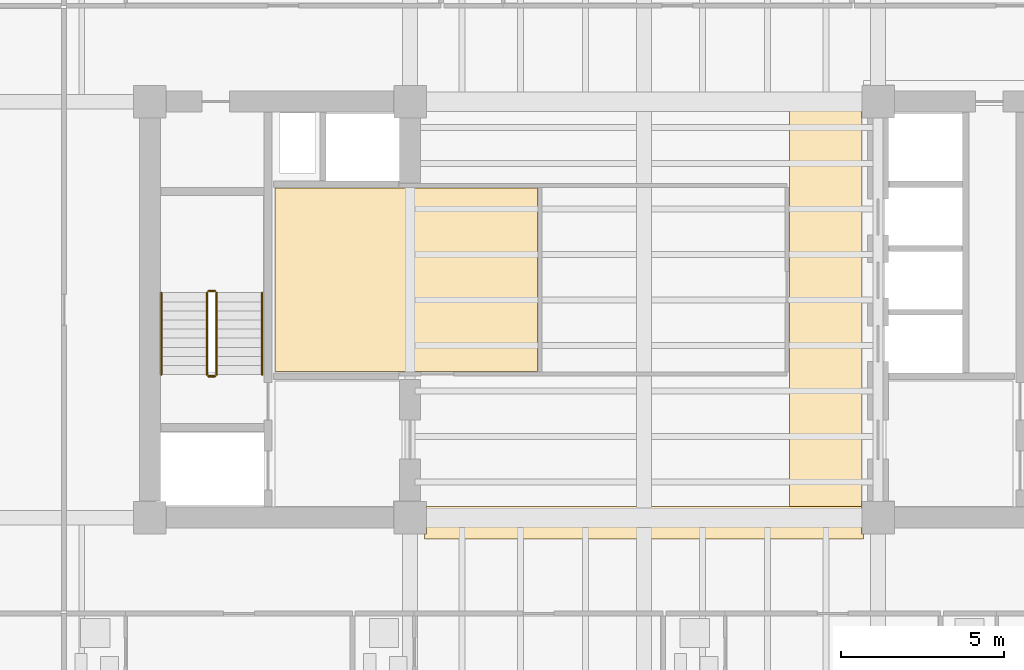
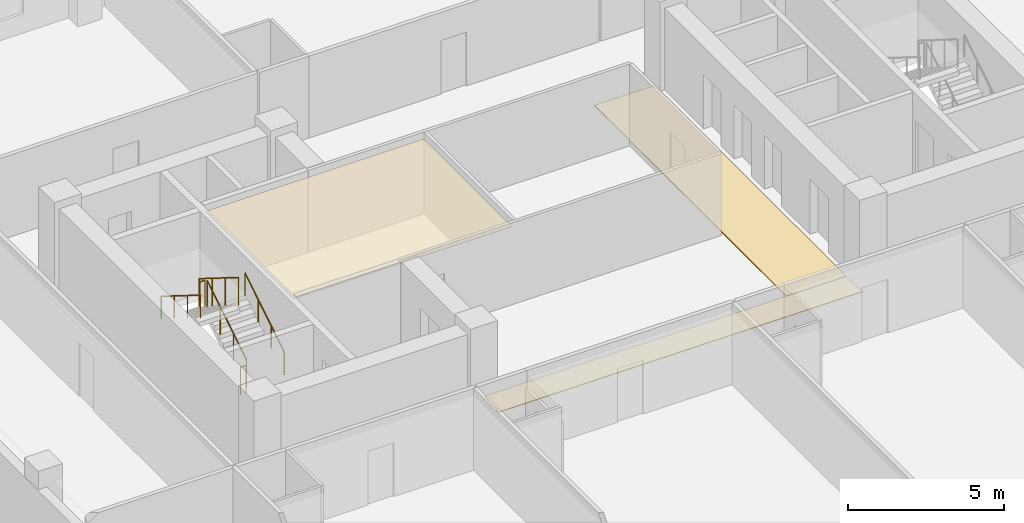
# One storey, part 7 of 10: 6 railings, 3 coverings.
"""IFC4 building model written with IfcOpenShell, lengths in metres."""

from ifc_helpers import new_model, si_unit, direction, frame, origin, origin_2d, place, context, subcontext, project, spatial, polyline, circle, outline, extrude, material, layer, layer_set, type_object, element, save


model = new_model("IFC4")

# Units and contexts
model_context = context("Model", 3, precision=1e-05, world=origin(), true_north=direction((0.0, 1.0)))
body_context = subcontext(model_context, "Body", "Model", "MODEL_VIEW")
ifc_project = project(units=[si_unit("LENGTHUNIT", "METRE"), si_unit("AREAUNIT", "SQUARE_METRE"), si_unit("VOLUMEUNIT", "CUBIC_METRE"), si_unit("PLANEANGLEUNIT", "RADIAN"), si_unit("MASSUNIT", "GRAM", prefix="KILO")], contexts=[model_context])

# Site, building, storey
site_placement = place(None, origin())
site = spatial("IfcSite", under=ifc_project, at=site_placement, CompositionType="ELEMENT")
building_placement = place(site_placement, origin())
building = spatial("IfcBuilding", under=site, at=building_placement, Name="Kranthara Brick Stack", CompositionType="ELEMENT")
storey_placement = place(building_placement, frame((0.0, 0.0, 123.800048828125)))
storey = spatial("IfcBuildingStorey", under=building, at=storey_placement, Name="L30", CompositionType="ELEMENT", Elevation=123.800048828125)

# Coverings
ifc_material_1 = material(Name="Perforated mineral-fibre acoustic ceiling tile", Category="other")
ifc_layer_1 = layer(ifc_material_1, 0.02490234375)
ifc_layer_set_1 = layer_set([ifc_layer_1], Name="Perforated mineral-fibre acoustic ceiling tile")
covering_type_1 = type_object("IfcCoveringType", Name="COV-CEIL-ACOUSTIC", PredefinedType="CEILING", material=ifc_layer_set_1)
covering_1_placement = place(storey_placement, frame((0.0, 0.0, 2.929931640625)))
element("IfcCovering", 1, at=covering_1_placement, inside=storey, type_object=covering_type_1, Name="L30 L30 Hotel Club Reading Lounge Acoustic Ceiling", PredefinedType="CEILING", context=body_context, shape_type="SweptSolid", body=[
    extrude(outline(polyline([(24.719970703125, 25.300048828125), (24.719970703125, 30.93994140625), (16.64990234375, 30.93994140625), (16.64990234375, 25.300048828125), (24.719970703125, 25.300048828125)])), origin(), (0.0, 0.0, 1.0), 0.02490234375),
])
ifc_material_2 = material(Name="Honed terrazzo and porcelain floor finish", Category="stone")
ifc_layer_2 = layer(ifc_material_2, 0.030029296875)
ifc_layer_set_2 = layer_set([ifc_layer_2], Name="Honed terrazzo and porcelain floor finish")
covering_type_2 = type_object("IfcCoveringType", Name="COV-FLOR-STONE", PredefinedType="FLOORING", material=ifc_layer_set_2)
covering_2_placement = place(storey_placement, origin())
element("IfcCovering", 2, at=covering_2_placement, inside=storey, type_object=covering_type_2, Name="L30 Lift Lobby Stone Flooring", PredefinedType="FLOORING", context=body_context, shape_type="SweptSolid", body=[
    extrude(outline(polyline([(32.47998046875, 33.449951171875), (34.68994140625, 33.449951171875), (34.68994140625, 33.090087890625), (34.699951171875, 33.090087890625), (34.699951171875, 21.31005859375), (34.68994140625, 21.31005859375), (34.68994140625, 21.14990234375), (32.47998046875, 21.14990234375), (32.47998046875, 33.449951171875)])), origin(), (0.0, 0.0, 1.0), 0.030029296875),
])
covering_3_placement = place(storey_placement, origin())
element("IfcCovering", 3, at=covering_3_placement, inside=storey, type_object=covering_type_2, Name="L30 Lift Lobby Stone Flooring", PredefinedType="FLOORING", context=body_context, shape_type="SweptSolid", body=[
    extrude(outline(polyline([(21.25, 20.2900390625), (21.31005859375, 20.2900390625), (21.31005859375, 21.14990234375), (32.47998046875, 21.14990234375), (34.68994140625, 21.14990234375), (34.68994140625, 20.2900390625), (34.75, 20.2900390625), (34.75, 20.14990234375), (21.25, 20.14990234375), (21.25, 20.2900390625)])), origin(), (0.0, 0.0, 1.0), 0.030029296875),
])

# Railings
ifc_material_3 = material(Name="Painted galvanized steel stair guardrail", Category="steel")
railing_type_1 = type_object("IfcRailingType", Name="RL-STAIR-GUARD-1100", PredefinedType="GUARDRAIL", material=ifc_material_3)
railing_1_placement = place(storey_placement, frame((14.85009765625, 25.199951171875, 0.175048828125)))
element("IfcRailing", 4, at=railing_1_placement, inside=storey, type_object=railing_type_1, Name="L30 ST01 stair guard 1", PredefinedType="GUARDRAIL", context=body_context, shape_type="SweptSolid", body=[
    extrude(circle(Radius=0.02392578125, at=origin_2d()), frame((0.0, 0.0, 1.076171875), z_axis=(0.0, 0.848007534815, 0.529984170421), x_axis=(-1.0, 0.0, 0.0)), (0.0, 0.0, 1.0), 2.9716796875),
    extrude(circle(Radius=0.02099609375, at=origin_2d()), origin(), (0.0, 0.0, 1.0), 1.052001953125),
    extrude(circle(Radius=0.02099609375, at=origin_2d()), frame((0.0, 0.840087890625, 0.52490234375)), (0.0, 0.0, 1.0), 1.052001953125),
    extrude(circle(Radius=0.02099609375, at=origin_2d()), frame((0.0, 1.679931640625, 1.050048828125)), (0.0, 0.0, 1.0), 1.052001953125),
    extrude(circle(Radius=0.02099609375, at=origin_2d()), frame((0.0, 2.52001953125, 1.574951171875)), (0.0, 0.0, 1.0), 1.052001953125),
])
railing_2_placement = place(storey_placement, frame((14.800048828125, 27.77001953125, 1.75)))
element("IfcRailing", 5, at=railing_2_placement, inside=storey, type_object=railing_type_1, Name="L30 ST01 stair guard 2", PredefinedType="GUARDRAIL", context=body_context, shape_type="SweptSolid", body=[
    extrude(circle(Radius=0.02392578125, at=origin_2d()), frame((0.0, 0.0, 1.076171875), z_axis=(-1.0, 0.0, 0.0), x_axis=(0.0, -1.0, 0.0)), (0.0, 0.0, 1.0), 0.199951171875),
    extrude(circle(Radius=0.02099609375, at=origin_2d()), origin(), (0.0, 0.0, 1.0), 1.052001953125),
    extrude(circle(Radius=0.02099609375, at=origin_2d()), frame((-0.199951171875, 0.0, 0.0)), (0.0, 0.0, 1.0), 1.052001953125),
])
railing_3_placement = place(storey_placement, frame((14.550048828125, 27.719970703125, 1.925048828125)))
element("IfcRailing", 6, at=railing_3_placement, inside=storey, type_object=railing_type_1, Name="L30 ST01 stair guard 3", PredefinedType="GUARDRAIL", context=body_context, shape_type="SweptSolid", body=[
    extrude(circle(Radius=0.02392578125, at=origin_2d()), frame((0.0, 0.0, 1.076171875), z_axis=(0.0, -0.848007534815, 0.529984170421), x_axis=(1.0, 0.0, 0.0)), (0.0, 0.0, 1.0), 2.9716796875),
    extrude(circle(Radius=0.02099609375, at=origin_2d()), origin(), (0.0, 0.0, 1.0), 1.052001953125),
    extrude(circle(Radius=0.02099609375, at=origin_2d()), frame((0.0, -0.840087890625, 0.52490234375)), (0.0, 0.0, 1.0), 1.052001953125),
    extrude(circle(Radius=0.02099609375, at=origin_2d()), frame((0.0, -1.679931640625, 1.050048828125)), (0.0, 0.0, 1.0), 1.052001953125),
    extrude(circle(Radius=0.02099609375, at=origin_2d()), frame((0.0, -2.52001953125, 1.574951171875)), (0.0, 0.0, 1.0), 1.052001953125),
])
railing_4_placement = place(storey_placement, frame((14.800048828125, 25.14990234375, 0.0)))
element("IfcRailing", 7, at=railing_4_placement, inside=storey, type_object=railing_type_1, Name="L30 ST01 stair guard 4", PredefinedType="GUARDRAIL", context=body_context, shape_type="SweptSolid", body=[
    extrude(circle(Radius=0.02392578125, at=origin_2d()), frame((0.0, 0.0, 1.076171875), z_axis=(-1.0, 0.0, 0.0), x_axis=(0.0, -1.0, 0.0)), (0.0, 0.0, 1.0), 0.199951171875),
    extrude(circle(Radius=0.02099609375, at=origin_2d()), origin(), (0.0, 0.0, 1.0), 1.052001953125),
    extrude(circle(Radius=0.02099609375, at=origin_2d()), frame((-0.199951171875, 0.0, 0.0)), (0.0, 0.0, 1.0), 1.052001953125),
])
ifc_material_4 = material(Name="Brushed stainless steel tubular handrail", Category="steel")
railing_type_2 = type_object("IfcRailingType", Name="RL-STAIR-HAND-900", PredefinedType="HANDRAIL", material=ifc_material_4)
railing_5_placement = place(storey_placement, frame((16.25, 25.199951171875, 0.175048828125)))
element("IfcRailing", 8, at=railing_5_placement, inside=storey, type_object=railing_type_2, Name="L30 ST01 stair handrail 1", PredefinedType="HANDRAIL", context=body_context, shape_type="SweptSolid", body=[
    extrude(circle(Radius=0.02392578125, at=origin_2d()), frame((0.0, 0.0, 0.8759765625), z_axis=(0.0, 0.848007534815, 0.529984170421), x_axis=(-1.0, 0.0, 0.0)), (0.0, 0.0, 1.0), 2.9716796875),
    extrude(circle(Radius=0.02099609375, at=origin_2d()), origin(), (0.0, 0.0, 1.0), 0.851806640625),
    extrude(circle(Radius=0.02099609375, at=origin_2d()), frame((0.0, 0.840087890625, 0.52490234375)), (0.0, 0.0, 1.0), 0.851806640625),
    extrude(circle(Radius=0.02099609375, at=origin_2d()), frame((0.0, 1.679931640625, 1.050048828125)), (0.0, 0.0, 1.0), 0.851806640625),
    extrude(circle(Radius=0.02099609375, at=origin_2d()), frame((0.0, 2.52001953125, 1.574951171875)), (0.0, 0.0, 1.0), 0.851806640625),
])
railing_6_placement = place(storey_placement, frame((13.14990234375, 27.719970703125, 1.925048828125)))
element("IfcRailing", 9, at=railing_6_placement, inside=storey, type_object=railing_type_2, Name="L30 ST01 stair handrail 2", PredefinedType="HANDRAIL", context=body_context, shape_type="SweptSolid", body=[
    extrude(circle(Radius=0.02392578125, at=origin_2d()), frame((0.0, 0.0, 0.8759765625), z_axis=(0.0, -0.848007534815, 0.529984170421), x_axis=(1.0, 0.0, 0.0)), (0.0, 0.0, 1.0), 2.9716796875),
    extrude(circle(Radius=0.02099609375, at=origin_2d()), origin(), (0.0, 0.0, 1.0), 0.851806640625),
    extrude(circle(Radius=0.02099609375, at=origin_2d()), frame((0.0, -0.840087890625, 0.52490234375)), (0.0, 0.0, 1.0), 0.851806640625),
    extrude(circle(Radius=0.02099609375, at=origin_2d()), frame((0.0, -1.679931640625, 1.050048828125)), (0.0, 0.0, 1.0), 0.851806640625),
    extrude(circle(Radius=0.02099609375, at=origin_2d()), frame((0.0, -2.52001953125, 1.574951171875)), (0.0, 0.0, 1.0), 0.851806640625),
])

save(model, "model.ifc")
